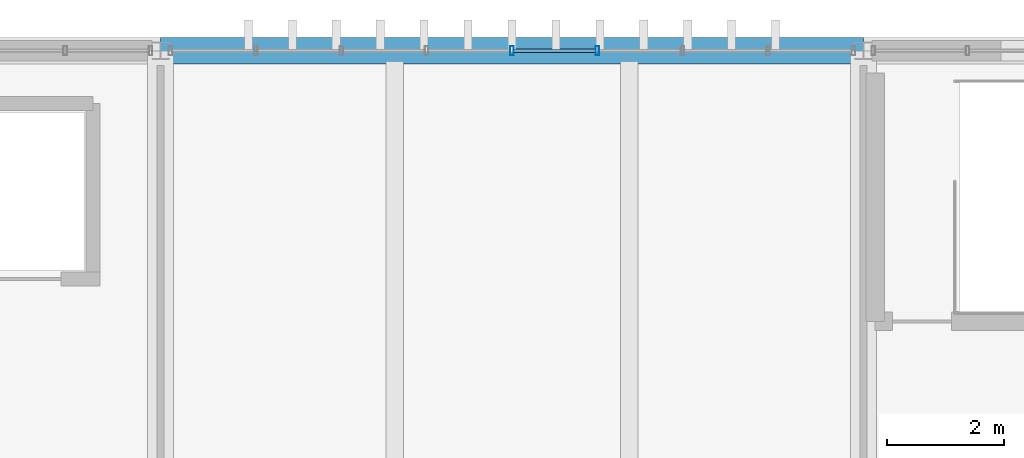
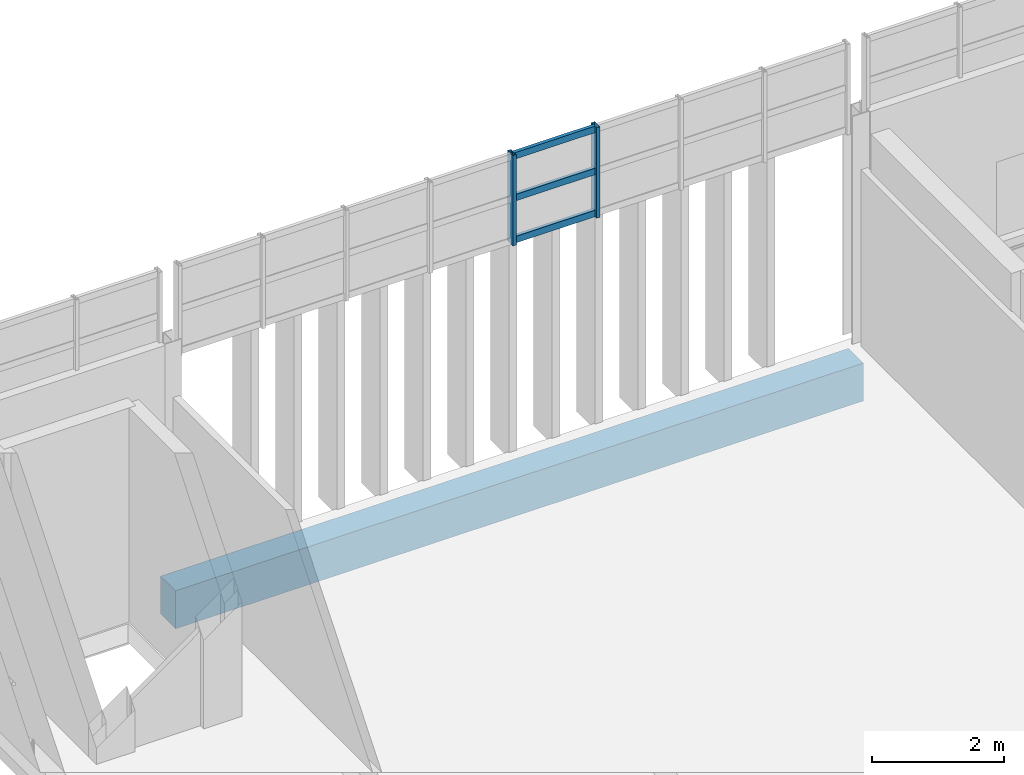
# One storey, part 14 of 36: 5 members, 1 beam, 1 element without a shape of its own.
"""IFC4 building model written with IfcOpenShell, lengths in metres."""

from ifc_helpers import new_model, si_unit, direction, frame, origin, origin_2d, place, context, subcontext, project, spatial, rectangle, hollow_rectangle, extrude, material, layer, layer_set, material_profile, profile_set, type_object, element, aggregate, save


model = new_model("IFC4")

# Units and contexts
model_context = context("Model", 3, precision=1e-05, world=origin(), true_north=direction((0.0, 1.0)))
body_context = subcontext(model_context, "Body", "Model", "MODEL_VIEW")
ifc_project = project(units=[si_unit("LENGTHUNIT", "METRE"), si_unit("AREAUNIT", "SQUARE_METRE"), si_unit("VOLUMEUNIT", "CUBIC_METRE"), si_unit("PLANEANGLEUNIT", "RADIAN"), si_unit("MASSUNIT", "GRAM", prefix="KILO")], contexts=[model_context])

# Site, building, storey
site_placement = place(None, origin())
site = spatial("IfcSite", under=ifc_project, at=site_placement, CompositionType="ELEMENT")
building_placement = place(site_placement, origin())
building = spatial("IfcBuilding", under=site, at=building_placement, Name="Mersad Railyard Sports Hall", CompositionType="ELEMENT")
storey_placement = place(building_placement, frame((0.0, 0.0, 21.60009765625)))
storey = spatial("IfcBuildingStorey", under=building, at=storey_placement, Name="L05", CompositionType="ELEMENT", Elevation=21.60009765625)

# Curtain wall, members
ifc_material_1 = material(Name="Aluminium 6063-T6", Category="aluminium")
ifc_layer = layer(ifc_material_1, 0.159912109375)
ifc_layer_set = layer_set([ifc_layer], Name="Aluminium 6063-T6")
curtain_wall_type = type_object("IfcCurtainWallType", Name="ARC-CW-CW49", PredefinedType="USERDEFINED", material=ifc_layer_set)
curtain_wall_placement = place(storey_placement, origin())
curtain_wall = element("IfcCurtainWall", 1, at=curtain_wall_placement, inside=storey, type_object=curtain_wall_type, Name="Curtain wall CW49-0131", ObjectType="CURTAIN WALL", PredefinedType="USERDEFINED")
ifc_material_profile_1 = material_profile(ifc_material_1, hollow_rectangle(XDim=0.06005859375, YDim=0.159912109375, WallThickness=0.00390625, at=origin_2d()), Name="AL MULLION 60x160x4")
ifc_profile_set_1 = profile_set([ifc_material_profile_1], Name="Aluminium 6063-T6")
member_type_1 = type_object("IfcMemberType", Name="ARC-CW-MUL01", PredefinedType="MULLION", material=ifc_profile_set_1)
member_1_placement = place(storey_placement, frame((85.0, 115.0, 3.829833984375), z_axis=(0.0, 0.0, 1.0), x_axis=(1.0, 0.0, 0.0)))
member_1 = element("IfcMember", 2, at=member_1_placement, type_object=member_type_1, Name="CW49 Mullion 5", PredefinedType="MULLION", context=body_context, shape_type="SweptSolid", body=[
    extrude(hollow_rectangle(XDim=0.06005859375, YDim=0.159912109375, WallThickness=0.00390625, at=origin_2d()), origin(), (0.0, 0.0, 1.0), 1.670166015625),
])
member_2_placement = place(storey_placement, frame((86.45751953125, 115.0, 3.829833984375), z_axis=(0.0, 0.0, 1.0), x_axis=(1.0, 0.0, 0.0)))
member_2 = element("IfcMember", 3, at=member_2_placement, type_object=member_type_1, Name="CW49 Mullion 6", PredefinedType="MULLION", context=body_context, shape_type="SweptSolid", body=[
    extrude(hollow_rectangle(XDim=0.06005859375, YDim=0.159912109375, WallThickness=0.00390625, at=origin_2d()), origin(), (0.0, 0.0, 1.0), 1.670166015625),
])
ifc_material_profile_2 = material_profile(ifc_material_1, hollow_rectangle(XDim=0.06005859375, YDim=0.1201171875, WallThickness=0.00390625, at=origin_2d()), Name="AL TRANSOM 60x120x4")
ifc_profile_set_2 = profile_set([ifc_material_profile_2], Name="Aluminium 6063-T6")
member_type_2 = type_object("IfcMemberType", Name="ARC-CW-TRN01", PredefinedType="USERDEFINED", material=ifc_profile_set_2)
member_3_placement = place(storey_placement, frame((85.02001953125, 115.0, 3.889892578125), z_axis=(1.0, 0.0, 0.0), x_axis=(0.0, 1.0, 0.0)))
member_3 = element("IfcMember", 4, at=member_3_placement, type_object=member_type_2, Name="CW49 Transom 1-5", ObjectType="TRANSOM", PredefinedType="USERDEFINED", context=body_context, shape_type="SweptSolid", body=[
    extrude(hollow_rectangle(XDim=0.06005859375, YDim=0.1201171875, WallThickness=0.00390625, at=origin_2d()), origin(), (0.0, 0.0, 1.0), 1.41748046875),
])
member_4_placement = place(storey_placement, frame((85.02001953125, 115.0, 4.664794921875), z_axis=(1.0, 0.0, 0.0), x_axis=(0.0, 1.0, 0.0)))
member_4 = element("IfcMember", 5, at=member_4_placement, type_object=member_type_2, Name="CW49 Transom 2-5", ObjectType="TRANSOM", PredefinedType="USERDEFINED", context=body_context, shape_type="SweptSolid", body=[
    extrude(hollow_rectangle(XDim=0.06005859375, YDim=0.1201171875, WallThickness=0.00390625, at=origin_2d()), origin(), (0.0, 0.0, 1.0), 1.41748046875),
])
member_5_placement = place(storey_placement, frame((85.02001953125, 115.0, 5.43994140625), z_axis=(1.0, 0.0, 0.0), x_axis=(0.0, 1.0, 0.0)))
member_5 = element("IfcMember", 6, at=member_5_placement, type_object=member_type_2, Name="CW49 Transom 3-5", ObjectType="TRANSOM", PredefinedType="USERDEFINED", context=body_context, shape_type="SweptSolid", body=[
    extrude(hollow_rectangle(XDim=0.06005859375, YDim=0.1201171875, WallThickness=0.00390625, at=origin_2d()), origin(), (0.0, 0.0, 1.0), 1.41748046875),
])
aggregate(curtain_wall, [member_1, member_2, member_3, member_4, member_5])

# Beam
ifc_material_2 = material(Name="Architectural concrete C40/50", Category="concrete")
ifc_material_profile_3 = material_profile(ifc_material_2, rectangle(XDim=0.449951171875, YDim=0.699951171875, at=origin_2d()), Name="RC 450x700")
ifc_profile_set_3 = profile_set([ifc_material_profile_3], Name="Architectural concrete C40/50")
beam_type = type_object("IfcBeamType", Name="STR-BM-SP01", PredefinedType="SPANDREL", material=ifc_profile_set_3)
beam_placement = place(storey_placement, frame((79.0, 115.0, -0.7001953125), z_axis=(1.0, 0.0, 0.0), x_axis=(0.0, 1.0, 0.0)))
element("IfcBeam", 7, at=beam_placement, inside=storey, type_object=beam_type, Name="Beam SP01-1423", PredefinedType="SPANDREL", context=body_context, shape_type="SweptSolid", body=[
    extrude(rectangle(XDim=0.449951171875, YDim=0.699951171875, at=origin_2d()), origin(), (0.0, 0.0, 1.0), 12.0),
])

save(model, "model.ifc")
